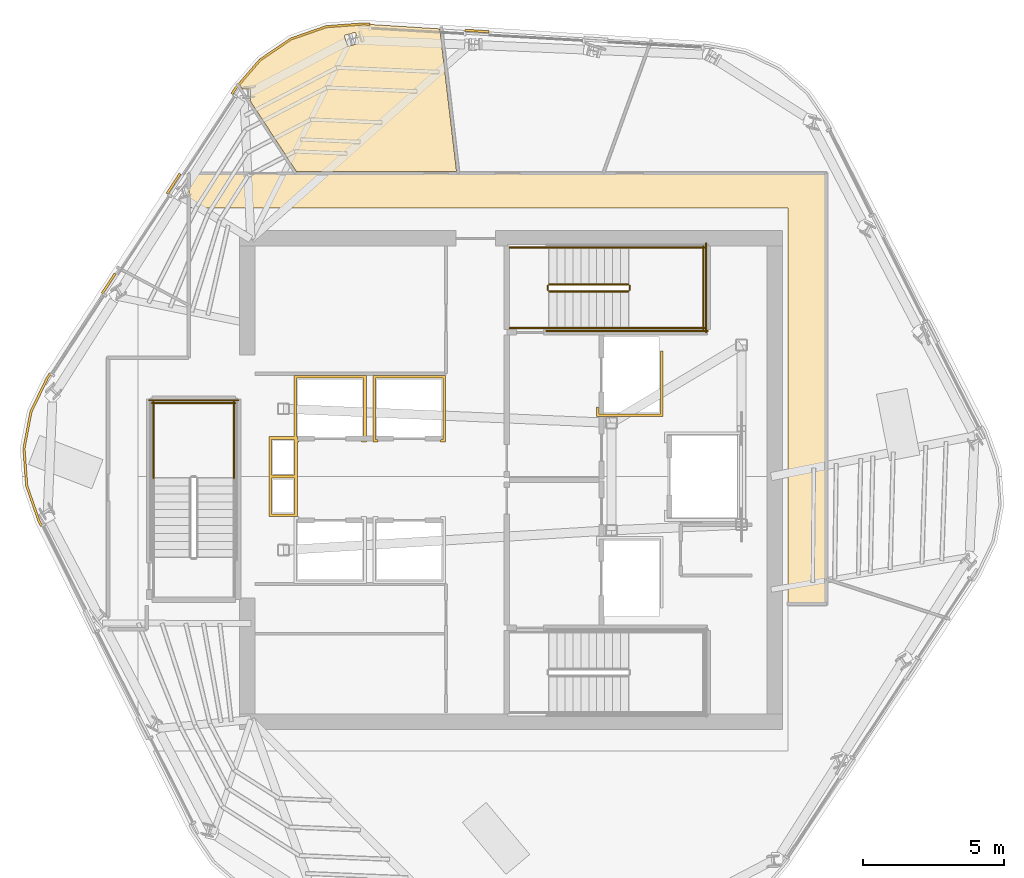
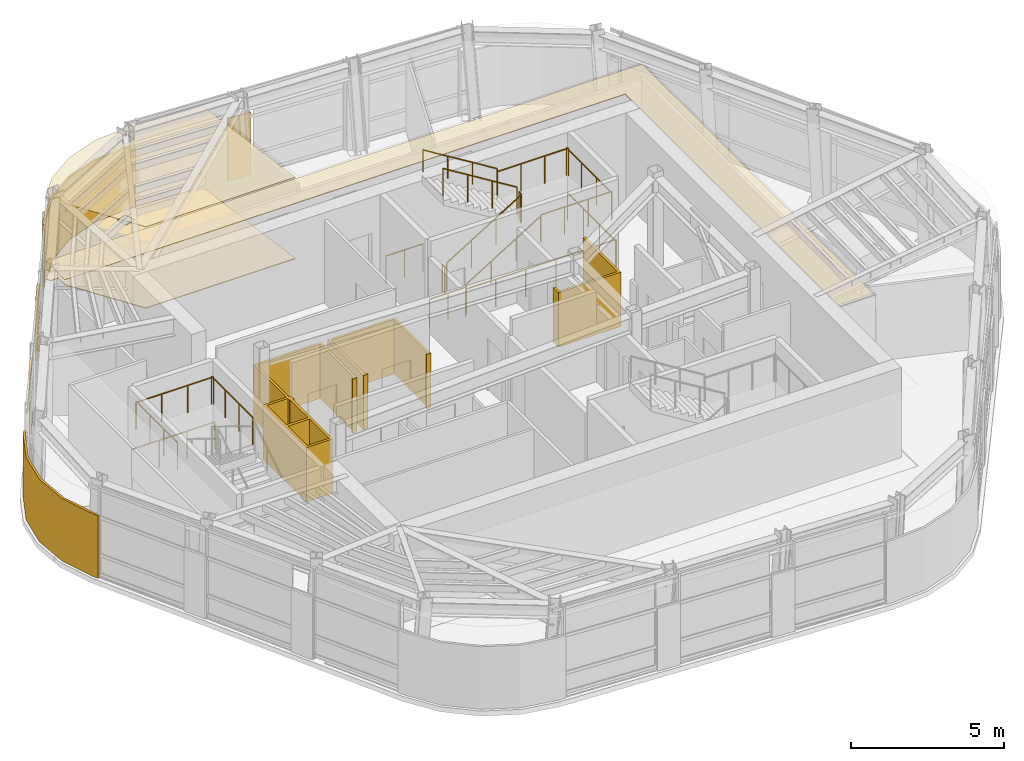
# One storey, part 11 of 13: 17 railings, 11 coverings.
"""IFC4 building model written with IfcOpenShell, lengths in metres."""

import ifcopenshell
import ifcopenshell.guid

model = None  # the IFC model being written
_history = None  # IfcOwnerHistory: only IFC2X3 demands one
_inside = {}  # id of a spatial element -> (the spatial element, [elements in it])
_under = {}  # id of a project, library or spatial element -> (it, [spatial elements below it])
_declared = {}  # id of a project -> (the project, [libraries it declares])
_typed = {}  # id of a type object -> (the type object, [elements of that type])
_made_of = {}  # id of a material, layer set ... -> (it, [elements and type objects made of it])


def new_model(schema):
    """Start an empty IFC model of exactly this schema.

    Asked for "IFC4X3", IfcOpenShell would pick the latest addendum, in which some entities
    have other attributes; the version numbers below select the first issue.
    IFC2X3 requires an IfcOwnerHistory on every rooted entity: one is made here for all.
    """
    global model, _history
    if schema == "IFC4X3":
        model = ifcopenshell.file(schema_version=(4, 3, 0, 0))
    else:
        model = ifcopenshell.file(schema=schema)
    _inside.clear()
    _under.clear()
    _declared.clear()
    _typed.clear()
    _made_of.clear()
    _history = None
    if model.schema == "IFC2X3":
        org = make("IfcOrganization", Name="unknown")
        user = make(
            "IfcPersonAndOrganization",
            ThePerson=make("IfcPerson", FamilyName="unknown"),
            TheOrganization=org,
        )
        app = make(
            "IfcApplication",
            ApplicationDeveloper=org,
            Version="unknown",
            ApplicationFullName="unknown",
            ApplicationIdentifier="unknown",
        )
        _history = make(
            "IfcOwnerHistory",
            OwningUser=user,
            OwningApplication=app,
            ChangeAction="ADDED",
            CreationDate=0,
        )
    return model


def make(cls, **values):
    """One entity of the class cls with the attributes given. An attribute that is None is left unset."""
    return model.create_entity(
        cls, **{name: value for name, value in values.items() if value is not None}
    )


def rooted(cls, **values):
    """An entity with a GlobalId (a new one), such as an element, a storey or a relation."""
    return make(cls, GlobalId=ifcopenshell.guid.new(), OwnerHistory=_history, **values)


def si_unit(unit_type, name, prefix=None):
    """IfcSIUnit, for example si_unit("LENGTHUNIT", "METRE", prefix="MILLI")."""
    return make("IfcSIUnit", UnitType=unit_type, Prefix=prefix, Name=name)


def assignment(units):
    """IfcUnitAssignment: the units of a project."""
    return None if units is None else make("IfcUnitAssignment", Units=units)


def point(xyz):
    """IfcCartesianPoint."""
    return None if xyz is None else make("IfcCartesianPoint", Coordinates=xyz)


def direction(xyz):
    """IfcDirection."""
    return None if xyz is None else make("IfcDirection", DirectionRatios=xyz)


def frame(location, z_axis=None, x_axis=None):
    """IfcAxis2Placement3D, a coordinate frame: its origin and axes. An axis left out is left unset."""
    return make(
        "IfcAxis2Placement3D",
        Location=point(location),
        Axis=direction(z_axis),
        RefDirection=direction(x_axis),
    )


def frame_2d(location, x_axis=None):
    """IfcAxis2Placement2D, a coordinate frame in the plane: its origin and x axis."""
    return make(
        "IfcAxis2Placement2D", Location=point(location), RefDirection=direction(x_axis)
    )


def origin():
    """The frame at (0, 0, 0) with its axes left unset."""
    return frame((0.0, 0.0, 0.0))


def origin_2d():
    """The frame at (0, 0) in the plane with its x axis left unset."""
    return frame_2d((0.0, 0.0))


def place(relative_to, where):
    """IfcLocalPlacement: puts the frame where relative to a parent placement (None: the world)."""
    return make(
        "IfcLocalPlacement", PlacementRelTo=relative_to, RelativePlacement=where
    )


def context(
    kind, dimensions, precision=None, world=None, true_north=None, identifier=None
):
    """IfcGeometricRepresentationContext, for example the 3D "Model" context."""
    return make(
        "IfcGeometricRepresentationContext",
        ContextIdentifier=identifier,
        ContextType=kind,
        CoordinateSpaceDimension=dimensions,
        Precision=precision,
        WorldCoordinateSystem=world,
        TrueNorth=true_north,
    )


def subcontext(parent, identifier, kind, view, scale=None):
    """IfcGeometricRepresentationSubContext, for example "Body" below "Model"."""
    return make(
        "IfcGeometricRepresentationSubContext",
        ContextIdentifier=identifier,
        ContextType=kind,
        ParentContext=parent,
        TargetScale=scale,
        TargetView=view,
    )


def project(units=None, contexts=None):
    """IfcProject with its units and contexts."""
    return rooted(
        "IfcProject",
        Name="project",
        RepresentationContexts=contexts,
        UnitsInContext=assignment(units),
    )


def spatial(cls, under=None, at=None, **own):
    """A site, building, storey or space (cls), placed at a placement, below another one or the project."""
    s = rooted(cls, ObjectPlacement=at, **own)
    if under is not None:
        _under.setdefault(under.id(), (under, []))[1].append(s)
    return s


def polyline(points):
    """IfcPolyline through the points."""
    return make("IfcPolyline", Points=[point(p) for p in points])


def profile(cls, at=None, kind="AREA", **sizes):
    """A parametric profile (cls). Its sizes go by their IFC names, for example OverallWidth=200.0."""
    return make(cls, ProfileType=kind, Position=at, **sizes)


def circle(**sizes):
    """IfcCircleProfileDef."""
    return profile("IfcCircleProfileDef", **sizes)


def outline(outer, holes=None, kind="AREA"):
    """IfcArbitraryClosedProfileDef: a profile drawn as a closed curve; with holes, ...WithVoids."""
    if holes is None:
        return make("IfcArbitraryClosedProfileDef", ProfileType=kind, OuterCurve=outer)
    return make(
        "IfcArbitraryProfileDefWithVoids",
        ProfileType=kind,
        OuterCurve=outer,
        InnerCurves=holes,
    )


def extrude(swept, where, along, depth):
    """IfcExtrudedAreaSolid: the profile swept, set in the frame where, extruded along a direction by depth."""
    return make(
        "IfcExtrudedAreaSolid",
        SweptArea=swept,
        Position=where,
        ExtrudedDirection=direction(along),
        Depth=depth,
    )


def shape(context_of_items, identifier, shape_type, items):
    """IfcShapeRepresentation: the items that make up one representation, for example the "Body"."""
    return make(
        "IfcShapeRepresentation",
        ContextOfItems=context_of_items,
        RepresentationIdentifier=identifier,
        RepresentationType=shape_type,
        Items=items,
    )


def material(Name=None, Category=None):
    """IfcMaterial."""
    return make("IfcMaterial", Name=Name, Category=Category)


def layer(
    of_material, thickness, ventilated=None, Name=None, Category=None, Priority=None
):
    """IfcMaterialLayer: one layer of a wall or slab, of a material (None: an air gap)."""
    return make(
        "IfcMaterialLayer",
        Material=of_material,
        LayerThickness=thickness,
        IsVentilated=ventilated,
        Name=Name,
        Category=Category,
        Priority=Priority,
    )


def layer_set(layers, Name=None):
    """IfcMaterialLayerSet."""
    return make("IfcMaterialLayerSet", MaterialLayers=layers, LayerSetName=Name)


def made_of(thing, what):
    """Note that an element or type object is made of a material, layer set ...; save() writes the relation."""
    if what is not None:
        _made_of.setdefault(what.id(), (what, []))[1].append(thing)
    return thing


def type_object(cls, material=None, **own):
    """A type object (cls), such as IfcWallType, which elements share."""
    return made_of(rooted(cls, **own), material)


def element(
    cls,
    number,
    at=None,
    inside=None,
    cuts=None,
    type_object=None,
    material=None,
    context=None,
    identifier="Body",
    shape_type=None,
    held_by="IfcProductDefinitionShape",
    body=None,
    shapes=None,
    **own,
):
    """One element of the class cls, such as IfcWall. Its Tag is "e" and its number.

    at: its placement. inside: the storey or other place that contains it. cuts: it is an
    opening in that element (IfcRelVoidsElement). A single representation is given by context,
    identifier, shape_type and body (its items); several are given by shapes. held_by: the class
    of the entity that holds the representations. save() writes the other relations.
    """
    e = rooted(cls, Tag="e%d" % number, ObjectPlacement=at, **own)
    if body is not None:
        shapes = [shape(context, identifier, shape_type, body)]
    if shapes is not None:
        e.Representation = make(held_by, Representations=shapes)
    if inside is not None:
        _inside.setdefault(inside.id(), (inside, []))[1].append(e)
    if cuts is not None:
        rooted(
            "IfcRelVoidsElement", RelatingBuildingElement=cuts, RelatedOpeningElement=e
        )
    if type_object is not None:
        _typed.setdefault(type_object.id(), (type_object, []))[1].append(e)
    return made_of(e, material)


def aggregate(whole, parts):
    """IfcRelAggregates: a whole, such as a stair, and the parts it consists of."""
    return rooted("IfcRelAggregates", RelatingObject=whole, RelatedObjects=parts)


def save(model, path):
    """Write the relations noted so far, then the file.

    IfcRelAggregates (storeys below a building ...), IfcRelContainedInSpatialStructure (elements
    in a storey), IfcRelDefinesByType, IfcRelAssociatesMaterial and IfcRelDeclares: one each for
    every whole, place, type object, material and project.
    """
    for whole, parts in _under.values():
        aggregate(whole, parts)
    for where, things in _inside.values():
        rooted(
            "IfcRelContainedInSpatialStructure",
            RelatedElements=things,
            RelatingStructure=where,
        )
    for kind, things in _typed.values():
        rooted("IfcRelDefinesByType", RelatedObjects=things, RelatingType=kind)
    for what, things in _made_of.values():
        rooted("IfcRelAssociatesMaterial", RelatedObjects=things, RelatingMaterial=what)
    for by, libraries in _declared.values():
        rooted("IfcRelDeclares", RelatingContext=by, RelatedDefinitions=libraries)
    model.write(path)


model = new_model("IFC4")

# Units and contexts
model_context = context("Model", 3, precision=1e-05, world=origin(), true_north=direction((0.0, 1.0)))
body_context = subcontext(model_context, "Body", "Model", "MODEL_VIEW")
ifc_project = project(units=[si_unit("LENGTHUNIT", "METRE"), si_unit("AREAUNIT", "SQUARE_METRE"), si_unit("VOLUMEUNIT", "CUBIC_METRE"), si_unit("PLANEANGLEUNIT", "RADIAN"), si_unit("MASSUNIT", "GRAM", prefix="KILO")], contexts=[model_context])

# Site, building, storey
site_placement = place(None, origin())
site = spatial("IfcSite", under=ifc_project, at=site_placement, CompositionType="ELEMENT")
building_placement = place(site_placement, origin())
building = spatial("IfcBuilding", under=site, at=building_placement, Name="Valkerne Bourse Tower", CompositionType="ELEMENT")
storey_placement = place(building_placement, frame((0.0, 0.0, 269.800048828125)))
storey = spatial("IfcBuildingStorey", under=building, at=storey_placement, Name="L68", CompositionType="ELEMENT", Elevation=269.800048828125)

# Coverings
ifc_material_1 = material(Name="Mineral Fiber Acoustic Ceiling Tile", Category="acoustic")
ifc_layer_1 = layer(ifc_material_1, 0.02490234375)
ifc_layer_set_1 = layer_set([ifc_layer_1], Name="Mineral Fiber Acoustic Ceiling Tile")
covering_type_1 = type_object("IfcCoveringType", Name="COV-CEIL-ACT", PredefinedType="CEILING", material=ifc_layer_set_1)
covering_1_placement = place(storey_placement, frame((0.0, 0.0, 3.25)))
element("IfcCovering", 1, at=covering_1_placement, inside=storey, type_object=covering_type_1, Name="L68 Suspended Ceiling 04", PredefinedType="CEILING", context=body_context, shape_type="SweptSolid", body=[
    extrude(outline(polyline([(40.263916015625, 42.907470703125), (41.589111328125, 43.0048828125), (44.2802734375, 42.836181640625), (44.873291015625, 37.7890625), (39.21044921875, 37.7890625), (37.568115234375, 40.298828125), (37.59033203125, 40.29931640625), (37.59228515625, 40.30078125), (37.5830078125, 40.70703125), (37.3046875, 40.701171875), (37.189208984375, 40.877685546875), (37.92626953125, 41.731689453125), (39.017578125, 42.473388671875), (40.263916015625, 42.907470703125)]), holes=[polyline([(41.41162109375, 42.323486328125), (41.2958984375, 42.71630859375), (40.906494140625, 42.6015625), (40.904296875, 42.600830078125), (41.02001953125, 42.208251953125), (41.409423828125, 42.32275390625), (41.41162109375, 42.323486328125)])]), origin(), (0.0, 0.0, 1.0), 0.02490234375),
])
ifc_material_2 = material(Name="Bronze Anodised Aluminium AA 6063-T6", Category="aluminium")
ifc_layer_2 = layer(ifc_material_2, 0.030029296875)
ifc_layer_set_2 = layer_set([ifc_layer_2], Name="Bronze Anodised Aluminium AA 6063-T6")
covering_type_2 = type_object("IfcCoveringType", Name="COV-CEIL-METAL", PredefinedType="CEILING", material=ifc_layer_set_2)
covering_2_placement = place(storey_placement, frame((0.0, 0.0, 3.25)))
element("IfcCovering", 2, at=covering_2_placement, inside=storey, type_object=covering_type_2, Name="L68 Suspended Ceiling 01", PredefinedType="CEILING", context=body_context, shape_type="SweptSolid", body=[
    extrude(outline(polyline([(35.404052734375, 37.716064453125), (57.946044921875, 37.716064453125), (57.946044921875, 22.50390625), (56.60009765625, 22.50390625), (56.60009765625, 36.5), (35.404052734375, 36.5), (35.404052734375, 37.716064453125)])), origin(), (0.0, 0.0, 1.0), 0.02490234375),
])
ifc_layer_3 = layer(ifc_material_2, 0.06005859375)
ifc_layer_set_3 = layer_set([ifc_layer_3], Name="Bronze Anodised Aluminium AA 6063-T6")
covering_type_3 = type_object("IfcCoveringType", Name="COV-CRN-ALUM", PredefinedType="CLADDING", material=ifc_layer_set_3)
covering_3_placement = place(storey_placement, origin())
element("IfcCovering", 3, at=covering_3_placement, inside=storey, type_object=covering_type_3, Name="L68 Wind-Shaped Corner Aluminium Cladding 10", PredefinedType="CLADDING", context=body_context, shape_type="SweptSolid", body=[
    extrude(outline(polyline([(30.071533203125, 25.404296875), (29.631591796875, 26.66796875), (29.533935546875, 27.99560546875), (29.783447265625, 29.302978515625), (30.36572265625, 30.5078125), (30.470947265625, 30.66943359375), (30.537841796875, 30.62548828125), (30.435546875, 30.46826171875), (29.860107421875, 29.27783203125), (29.614501953125, 27.990966796875), (29.71044921875, 26.684326171875), (30.1455078125, 25.435546875), (30.228759765625, 25.267578125), (30.157470703125, 25.2314453125), (30.071533203125, 25.404296875)])), origin(), (0.0, 0.0, 1.0), 2.5),
])
covering_4_placement = place(storey_placement, origin())
element("IfcCovering", 4, at=covering_4_placement, inside=storey, type_object=covering_type_3, Name="L68 Wind-Shaped Corner Aluminium Cladding 11", PredefinedType="CLADDING", context=body_context, shape_type="SweptSolid", body=[
    extrude(outline(polyline([(32.765869140625, 34.201416015625), (32.832763671875, 34.157470703125), (32.375, 33.452880859375), (32.30810546875, 33.4970703125), (32.765869140625, 34.201416015625)])), origin(), (0.0, 0.0, 1.0), 2.5),
])
covering_5_placement = place(storey_placement, origin())
element("IfcCovering", 5, at=covering_5_placement, inside=storey, type_object=covering_type_3, Name="L68 Wind-Shaped Corner Aluminium Cladding 12", PredefinedType="CLADDING", context=body_context, shape_type="SweptSolid", body=[
    extrude(outline(polyline([(35.06103515625, 37.7333984375), (35.1279296875, 37.689453125), (34.670166015625, 36.985107421875), (34.603271484375, 37.02880859375), (35.06103515625, 37.7333984375)])), origin(), (0.0, 0.0, 1.0), 2.5),
])
covering_6_placement = place(storey_placement, origin())
element("IfcCovering", 6, at=covering_6_placement, inside=storey, type_object=covering_type_3, Name="L68 Wind-Shaped Corner Aluminium Cladding 13", PredefinedType="CLADDING", context=body_context, shape_type="SweptSolid", body=[
    extrude(outline(polyline([(37.022705078125, 40.75244140625), (37.896728515625, 41.764892578125), (38.997802734375, 42.51318359375), (40.2548828125, 42.950927734375), (41.588623046875, 43.048828125), (41.81689453125, 43.03466796875), (41.812255859375, 42.95458984375), (41.589111328125, 42.96875), (40.271240234375, 42.871826171875), (39.033935546875, 42.44091796875), (37.950439453125, 41.70458984375), (37.0869140625, 40.704345703125), (36.965087890625, 40.516845703125), (36.898193359375, 40.560791015625), (37.022705078125, 40.75244140625)])), origin(), (0.0, 0.0, 1.0), 2.5),
])
covering_7_placement = place(storey_placement, origin())
element("IfcCovering", 7, at=covering_7_placement, inside=storey, type_object=covering_type_3, Name="L68 Wind-Shaped Corner Aluminium Cladding 14", PredefinedType="CLADDING", context=body_context, shape_type="SweptSolid", body=[
    extrude(outline(polyline([(46.0205078125, 42.771240234375), (46.01611328125, 42.69140625), (45.177490234375, 42.743896484375), (45.18212890625, 42.82373046875), (46.0205078125, 42.771240234375)])), origin(), (0.0, 0.0, 1.0), 2.5),
])
ifc_material_3 = material(Name="Polished Granite Stone", Category="masonry")
ifc_layer_4 = layer(ifc_material_3, 0.030029296875)
ifc_layer_set_4 = layer_set([ifc_layer_4], Name="Polished Granite Stone")
covering_type_4 = type_object("IfcCoveringType", Name="COV-FLR-TERRAZZO", PredefinedType="FLOORING", material=ifc_layer_set_4)
covering_8_placement = place(storey_placement, origin())
element("IfcCovering", 8, at=covering_8_placement, inside=storey, type_object=covering_type_4, Name="L68 Floor Finish 04", PredefinedType="FLOORING", context=body_context, shape_type="SweptSolid", body=[
    extrude(outline(polyline([(40.263916015625, 42.907470703125), (41.589111328125, 43.0048828125), (44.2802734375, 42.836181640625), (44.873291015625, 37.7890625), (39.21044921875, 37.7890625), (37.568115234375, 40.298828125), (37.59033203125, 40.29931640625), (37.59228515625, 40.30078125), (37.5830078125, 40.70703125), (37.3046875, 40.701171875), (37.189208984375, 40.877685546875), (37.92626953125, 41.731689453125), (39.017578125, 42.473388671875), (40.263916015625, 42.907470703125)]), holes=[polyline([(41.41162109375, 42.323486328125), (41.2958984375, 42.71630859375), (40.906494140625, 42.6015625), (40.904296875, 42.600830078125), (41.02001953125, 42.208251953125), (41.409423828125, 42.32275390625), (41.41162109375, 42.323486328125)])]), origin(), (0.0, 0.0, 1.0), 0.030029296875),
])
ifc_material_4 = material(Name="Gypsum Shaftwall Liner Board", Category="gypsum")
ifc_layer_5 = layer(ifc_material_4, 0.080078125)
ifc_layer_set_5 = layer_set([ifc_layer_5], Name="Gypsum Shaftwall Liner Board")
covering_type_5 = type_object("IfcCoveringType", Name="COV-SHF-CLAD", PredefinedType="CLADDING", material=ifc_layer_set_5)
covering_9_placement = place(storey_placement, origin())
element("IfcCovering", 9, at=covering_9_placement, inside=storey, type_object=covering_type_5, Name="L68 Hoistway & Riser Shaftwall Liner 04", PredefinedType="CLADDING", context=body_context, shape_type="SweptSolid", body=[
    extrude(outline(polyline([(38.239990234375, 27.0400390625), (38.239990234375, 28.409912109375), (39.1201171875, 28.409912109375), (39.1201171875, 30.580078125), (41.679931640625, 30.580078125), (41.679931640625, 28.219970703125), (41.500732421875, 28.219970703125), (41.511474609375, 28.26220703125), (41.517822265625, 28.305908203125), (41.51806640625, 28.31005859375), (41.590087890625, 28.31005859375), (41.590087890625, 30.489990234375), (39.2099609375, 30.489990234375), (39.2099609375, 28.409912109375), (39.239990234375, 28.409912109375), (39.239990234375, 28.31005859375), (39.281982421875, 28.31005859375), (39.2822265625, 28.305908203125), (39.28857421875, 28.26220703125), (39.29931640625, 28.219970703125), (39.239990234375, 28.219970703125), (39.239990234375, 27.0400390625), (39.239990234375, 26.9599609375), (39.239990234375, 25.590087890625), (38.239990234375, 25.590087890625), (38.239990234375, 26.9599609375), (38.239990234375, 27.0400390625)]), holes=[polyline([(39.14990234375, 26.949951171875), (38.330078125, 26.949951171875), (38.330078125, 25.679931640625), (39.14990234375, 25.679931640625), (39.14990234375, 26.949951171875)]), polyline([(39.14990234375, 28.219970703125), (39.1201171875, 28.219970703125), (39.1201171875, 28.320068359375), (38.330078125, 28.320068359375), (38.330078125, 27.050048828125), (39.14990234375, 27.050048828125), (39.14990234375, 28.219970703125)])]), origin(), (0.0, 0.0, 1.0), 2.179931640625),
])
covering_10_placement = place(storey_placement, origin())
element("IfcCovering", 10, at=covering_10_placement, inside=storey, type_object=covering_type_5, Name="L68 Hoistway & Riser Shaftwall Liner 06", PredefinedType="CLADDING", context=body_context, shape_type="SweptSolid", body=[
    extrude(outline(polyline([(44.47998046875, 28.219970703125), (44.30078125, 28.219970703125), (44.311279296875, 28.26220703125), (44.31787109375, 28.305908203125), (44.318115234375, 28.31005859375), (44.389892578125, 28.31005859375), (44.389892578125, 30.489990234375), (42.010009765625, 30.489990234375), (42.010009765625, 28.31005859375), (42.08203125, 28.31005859375), (42.082275390625, 28.305908203125), (42.088623046875, 28.26220703125), (42.09912109375, 28.219970703125), (41.919921875, 28.219970703125), (41.919921875, 30.580078125), (44.47998046875, 30.580078125), (44.47998046875, 28.219970703125)])), origin(), (0.0, 0.0, 1.0), 2.179931640625),
])
covering_11_placement = place(storey_placement, origin())
element("IfcCovering", 11, at=covering_11_placement, inside=storey, type_object=covering_type_5, Name="L68 Hoistway & Riser Shaftwall Liner 07", PredefinedType="CLADDING", context=body_context, shape_type="SweptSolid", body=[
    extrude(outline(polyline([(49.820068359375, 29.1201171875), (49.820068359375, 29.468017578125), (49.827880859375, 29.46435546875), (49.869384765625, 29.449462890625), (49.909912109375, 29.439208984375), (49.909912109375, 29.2099609375), (52.090087890625, 29.2099609375), (52.090087890625, 31.449951171875), (52.179931640625, 31.449951171875), (52.179931640625, 29.1201171875), (49.820068359375, 29.1201171875)])), origin(), (0.0, 0.0, 1.0), 2.179931640625),
])

# Railings
ifc_material_5 = material(Name="Galvanised Painted Steel", Category="steel")
railing_type_1 = type_object("IfcRailingType", Name="RLG-ST-GUARD-1120", PredefinedType="GUARDRAIL", material=ifc_material_5)
railing_1_placement = place(storey_placement, frame((48.14990234375, 33.550048828125, 0.172607421875)))
element("IfcRailing", 12, at=railing_1_placement, inside=storey, type_object=railing_type_1, Name="L68 ST-2 stair guard 1", PredefinedType="GUARDRAIL", context=body_context, shape_type="SweptSolid", body=[
    extrude(circle(Radius=0.02392578125, at=origin_2d()), frame((0.0, 0.0, 1.09619140625), z_axis=(0.851089632645, 0.0, 0.525020415988), x_axis=(0.0, 1.0, 0.0)), (0.0, 0.0, 1.0), 3.2900390625),
    extrude(circle(Radius=0.02099609375, at=origin_2d()), origin(), (0.0, 0.0, 1.0), 1.072021484375),
    extrude(circle(Radius=0.02099609375, at=origin_2d()), frame((0.933349609375, 0.0, 0.57568359375)), (0.0, 0.0, 1.0), 1.072021484375),
    extrude(circle(Radius=0.02099609375, at=origin_2d()), frame((1.86669921875, 0.0, 1.151611328125)), (0.0, 0.0, 1.0), 1.072021484375),
    extrude(circle(Radius=0.02099609375, at=origin_2d()), frame((2.800048828125, 0.0, 1.727294921875)), (0.0, 0.0, 1.0), 1.072021484375),
])
railing_2_placement = place(storey_placement, frame((51.0, 33.60009765625, 1.89990234375)))
element("IfcRailing", 13, at=railing_2_placement, inside=storey, type_object=railing_type_1, Name="L68 ST-2 stair guard 2", PredefinedType="GUARDRAIL", context=body_context, shape_type="SweptSolid", body=[
    extrude(circle(Radius=0.02392578125, at=origin_2d()), frame((0.0, 0.0, 1.09619140625), z_axis=(0.0, 1.0, 0.0), x_axis=(-1.0, 0.0, 0.0)), (0.0, 0.0, 1.0), 0.14990234375),
    extrude(circle(Radius=0.02099609375, at=origin_2d()), origin(), (0.0, 0.0, 1.0), 1.072021484375),
    extrude(circle(Radius=0.02099609375, at=origin_2d()), frame((0.0, 0.14990234375, 0.0)), (0.0, 0.0, 1.0), 1.072021484375),
])
for number, where, name in (
    (14, (50.949951171875, 32.25, 1.89990234375), "L68 ST-2 stair guard 3"),
    (15, (50.949951171875, 35.10009765625, 1.89990234375), "L68 ST-2 stair guard 4"),
):
    element("IfcRailing", number, at=place(storey_placement, frame(where)), inside=storey, type_object=railing_type_1, Name=name, PredefinedType="GUARDRAIL", context=body_context, shape_type="SweptSolid", body=[
        extrude(circle(Radius=0.02392578125, at=origin_2d()), frame((0.0, 0.0, 1.09619140625), z_axis=(1.0, 0.0, 0.0), x_axis=(0.0, 1.0, 0.0)), (0.0, 0.0, 1.0), 2.699951171875),
        extrude(circle(Radius=0.02099609375, at=origin_2d()), origin(), (0.0, 0.0, 1.0), 1.072021484375),
        extrude(circle(Radius=0.02099609375, at=origin_2d()), frame((0.89990234375, 0.0, 0.0)), (0.0, 0.0, 1.0), 1.072021484375),
        extrude(circle(Radius=0.02099609375, at=origin_2d()), frame((1.800048828125, 0.0, 0.0)), (0.0, 0.0, 1.0), 1.072021484375),
        extrude(circle(Radius=0.02099609375, at=origin_2d()), frame((2.699951171875, 0.0, 0.0)), (0.0, 0.0, 1.0), 1.072021484375),
    ])
railing_3_placement = place(storey_placement, frame((53.60009765625, 32.199951171875, 1.89990234375)))
element("IfcRailing", 16, at=railing_3_placement, inside=storey, type_object=railing_type_1, Name="L68 ST-2 stair guard 5", PredefinedType="GUARDRAIL", context=body_context, shape_type="SweptSolid", body=[
    extrude(circle(Radius=0.02392578125, at=origin_2d()), frame((0.0, 0.0, 1.09619140625), z_axis=(0.0, 1.0, 0.0), x_axis=(-1.0, 0.0, 0.0)), (0.0, 0.0, 1.0), 2.949951171875),
    extrude(circle(Radius=0.02099609375, at=origin_2d()), origin(), (0.0, 0.0, 1.0), 1.072021484375),
    extrude(circle(Radius=0.02099609375, at=origin_2d()), frame((0.0, 0.9833984375, 0.0)), (0.0, 0.0, 1.0), 1.072021484375),
    extrude(circle(Radius=0.02099609375, at=origin_2d()), frame((0.0, 1.966552734375, 0.0)), (0.0, 0.0, 1.0), 1.072021484375),
    extrude(circle(Radius=0.02099609375, at=origin_2d()), frame((0.0, 2.949951171875, 0.0)), (0.0, 0.0, 1.0), 1.072021484375),
])
railing_4_placement = place(storey_placement, frame((50.949951171875, 33.800048828125, 2.07275390625)))
element("IfcRailing", 17, at=railing_4_placement, inside=storey, type_object=railing_type_1, Name="L68 ST-2 stair guard 6", PredefinedType="GUARDRAIL", context=body_context, shape_type="SweptSolid", body=[
    extrude(circle(Radius=0.02392578125, at=origin_2d()), frame((0.0, 0.0, 1.09619140625), z_axis=(-0.851089632645, 0.0, 0.525020415988), x_axis=(0.0, -1.0, 0.0)), (0.0, 0.0, 1.0), 3.2900390625),
    extrude(circle(Radius=0.02099609375, at=origin_2d()), origin(), (0.0, 0.0, 1.0), 1.072021484375),
    extrude(circle(Radius=0.02099609375, at=origin_2d()), frame((-0.933349609375, 0.0, 0.57568359375)), (0.0, 0.0, 1.0), 1.072021484375),
    extrude(circle(Radius=0.02099609375, at=origin_2d()), frame((-1.86669921875, 0.0, 1.151611328125)), (0.0, 0.0, 1.0), 1.072021484375),
    extrude(circle(Radius=0.02099609375, at=origin_2d()), frame((-2.800048828125, 0.0, 1.727294921875)), (0.0, 0.0, 1.0), 1.072021484375),
])
railing_5_placement = place(storey_placement, frame((48.10009765625, 33.60009765625, 0.0)))
element("IfcRailing", 18, at=railing_5_placement, inside=storey, type_object=railing_type_1, Name="L68 ST-2 stair guard 7", PredefinedType="GUARDRAIL", context=body_context, shape_type="SweptSolid", body=[
    extrude(circle(Radius=0.02392578125, at=origin_2d()), frame((0.0, 0.0, 1.09619140625), z_axis=(0.0, 1.0, 0.0), x_axis=(-1.0, 0.0, 0.0)), (0.0, 0.0, 1.0), 0.14990234375),
    extrude(circle(Radius=0.02099609375, at=origin_2d()), origin(), (0.0, 0.0, 1.0), 1.072021484375),
    extrude(circle(Radius=0.02099609375, at=origin_2d()), frame((0.0, 0.14990234375, 0.0)), (0.0, 0.0, 1.0), 1.072021484375),
])
for number, where, name in (
    (19, (46.75, 32.25, 0.0), "L68 ST-2 stair guard 8"),
    (20, (46.75, 35.10009765625, 0.0), "L68 ST-2 stair guard 9"),
):
    element("IfcRailing", number, at=place(storey_placement, frame(where)), inside=storey, type_object=railing_type_1, Name=name, PredefinedType="GUARDRAIL", context=body_context, shape_type="SweptSolid", body=[
        extrude(circle(Radius=0.02392578125, at=origin_2d()), frame((0.0, 0.0, 1.09619140625), z_axis=(1.0, 0.0, 0.0), x_axis=(0.0, 1.0, 0.0)), (0.0, 0.0, 1.0), 1.39990234375),
        extrude(circle(Radius=0.02099609375, at=origin_2d()), origin(), (0.0, 0.0, 1.0), 1.072021484375),
        extrude(circle(Radius=0.02099609375, at=origin_2d()), frame((0.699951171875, 0.0, 0.0)), (0.0, 0.0, 1.0), 1.072021484375),
        extrude(circle(Radius=0.02099609375, at=origin_2d()), frame((1.39990234375, 0.0, 0.0)), (0.0, 0.0, 1.0), 1.072021484375),
    ])
railing_6_placement = place(storey_placement, frame((48.050048828125, 32.14990234375, 0.0)))
element("IfcRailing", 21, at=railing_6_placement, inside=storey, type_object=railing_type_1, Name="L68 ST-2 stair guard 10", PredefinedType="GUARDRAIL", context=body_context, shape_type="SweptSolid", body=[
    extrude(circle(Radius=0.02392578125, at=origin_2d()), frame((0.0, 0.0, 1.09619140625), z_axis=(1.0, 0.0, 0.0), x_axis=(0.0, 1.0, 0.0)), (0.0, 0.0, 1.0), 5.699951171875),
    extrude(circle(Radius=0.02099609375, at=origin_2d()), origin(), (0.0, 0.0, 1.0), 1.072021484375),
    extrude(circle(Radius=0.02099609375, at=origin_2d()), frame((1.139892578125, 0.0, 0.0)), (0.0, 0.0, 1.0), 1.072021484375),
    extrude(circle(Radius=0.02099609375, at=origin_2d()), frame((2.280029296875, 0.0, 0.0)), (0.0, 0.0, 1.0), 1.072021484375),
    extrude(circle(Radius=0.02099609375, at=origin_2d()), frame((3.419921875, 0.0, 0.0)), (0.0, 0.0, 1.0), 1.072021484375),
    extrude(circle(Radius=0.02099609375, at=origin_2d()), frame((4.56005859375, 0.0, 0.0)), (0.0, 0.0, 1.0), 1.072021484375),
    extrude(circle(Radius=0.02099609375, at=origin_2d()), frame((5.699951171875, 0.0, 0.0)), (0.0, 0.0, 1.0), 1.072021484375),
])
railing_7_placement = place(storey_placement, frame((53.699951171875, 32.10009765625, 0.0)))
element("IfcRailing", 22, at=railing_7_placement, inside=storey, type_object=railing_type_1, Name="L68 ST-2 stair guard 12", PredefinedType="GUARDRAIL", context=body_context, shape_type="SweptSolid", body=[
    extrude(circle(Radius=0.02392578125, at=origin_2d()), frame((0.0, 0.0, 1.09619140625), z_axis=(0.0, 1.0, 0.0), x_axis=(-1.0, 0.0, 0.0)), (0.0, 0.0, 1.0), 3.14990234375),
    extrude(circle(Radius=0.02099609375, at=origin_2d()), origin(), (0.0, 0.0, 1.0), 1.072021484375),
    extrude(circle(Radius=0.02099609375, at=origin_2d()), frame((0.0, 1.050048828125, 0.0)), (0.0, 0.0, 1.0), 1.072021484375),
    extrude(circle(Radius=0.02099609375, at=origin_2d()), frame((0.0, 2.099853515625, 0.0)), (0.0, 0.0, 1.0), 1.072021484375),
    extrude(circle(Radius=0.02099609375, at=origin_2d()), frame((0.0, 3.14990234375, 0.0)), (0.0, 0.0, 1.0), 1.072021484375),
])
for number, where, name in (
    (23, (37.0, 26.949951171875, 1.89990234375), "L68 ST-3 stair guard 3"),
    (24, (34.14990234375, 26.949951171875, 1.89990234375), "L68 ST-3 stair guard 4"),
):
    element("IfcRailing", number, at=place(storey_placement, frame(where)), inside=storey, type_object=railing_type_1, Name=name, PredefinedType="GUARDRAIL", context=body_context, shape_type="SweptSolid", body=[
        extrude(circle(Radius=0.02392578125, at=origin_2d()), frame((0.0, 0.0, 1.09619140625), z_axis=(0.0, 1.0, 0.0), x_axis=(-1.0, 0.0, 0.0)), (0.0, 0.0, 1.0), 2.699951171875),
        extrude(circle(Radius=0.02099609375, at=origin_2d()), origin(), (0.0, 0.0, 1.0), 1.072021484375),
        extrude(circle(Radius=0.02099609375, at=origin_2d()), frame((0.0, 0.89990234375, 0.0)), (0.0, 0.0, 1.0), 1.072021484375),
        extrude(circle(Radius=0.02099609375, at=origin_2d()), frame((0.0, 1.800048828125, 0.0)), (0.0, 0.0, 1.0), 1.072021484375),
        extrude(circle(Radius=0.02099609375, at=origin_2d()), frame((0.0, 2.699951171875, 0.0)), (0.0, 0.0, 1.0), 1.072021484375),
    ])
railing_8_placement = place(storey_placement, frame((37.050048828125, 29.60009765625, 1.89990234375)))
element("IfcRailing", 25, at=railing_8_placement, inside=storey, type_object=railing_type_1, Name="L68 ST-3 stair guard 5", PredefinedType="GUARDRAIL", context=body_context, shape_type="SweptSolid", body=[
    extrude(circle(Radius=0.02392578125, at=origin_2d()), frame((0.0, 0.0, 1.09619140625), z_axis=(-1.0, 0.0, 0.0), x_axis=(0.0, -1.0, 0.0)), (0.0, 0.0, 1.0), 2.949951171875),
    extrude(circle(Radius=0.02099609375, at=origin_2d()), origin(), (0.0, 0.0, 1.0), 1.072021484375),
    extrude(circle(Radius=0.02099609375, at=origin_2d()), frame((-0.9833984375, 0.0, 0.0)), (0.0, 0.0, 1.0), 1.072021484375),
    extrude(circle(Radius=0.02099609375, at=origin_2d()), frame((-1.966552734375, 0.0, 0.0)), (0.0, 0.0, 1.0), 1.072021484375),
    extrude(circle(Radius=0.02099609375, at=origin_2d()), frame((-2.949951171875, 0.0, 0.0)), (0.0, 0.0, 1.0), 1.072021484375),
])
railing_9_placement = place(storey_placement, frame((37.14990234375, 29.699951171875, 0.0)))
element("IfcRailing", 26, at=railing_9_placement, inside=storey, type_object=railing_type_1, Name="L68 ST-3 stair guard 12", PredefinedType="GUARDRAIL", context=body_context, shape_type="SweptSolid", body=[
    extrude(circle(Radius=0.02392578125, at=origin_2d()), frame((0.0, 0.0, 1.09619140625), z_axis=(-1.0, 0.0, 0.0), x_axis=(0.0, -1.0, 0.0)), (0.0, 0.0, 1.0), 3.14990234375),
    extrude(circle(Radius=0.02099609375, at=origin_2d()), origin(), (0.0, 0.0, 1.0), 1.072021484375),
    extrude(circle(Radius=0.02099609375, at=origin_2d()), frame((-1.050048828125, 0.0, 0.0)), (0.0, 0.0, 1.0), 1.072021484375),
    extrude(circle(Radius=0.02099609375, at=origin_2d()), frame((-2.099853515625, 0.0, 0.0)), (0.0, 0.0, 1.0), 1.072021484375),
    extrude(circle(Radius=0.02099609375, at=origin_2d()), frame((-3.14990234375, 0.0, 0.0)), (0.0, 0.0, 1.0), 1.072021484375),
])
ifc_material_6 = material(Name="Stainless Steel AISI 316", Category="steel")
railing_type_2 = type_object("IfcRailingType", Name="RLG-ST-HANDRAIL-900", PredefinedType="HANDRAIL", material=ifc_material_6)
railing_10_placement = place(storey_placement, frame((48.14990234375, 32.25, 0.345458984375)))
element("IfcRailing", 27, at=railing_10_placement, inside=storey, type_object=railing_type_2, Name="L68 ST-2 stair handrail 1", PredefinedType="HANDRAIL", context=body_context, shape_type="SweptSolid", body=[
    extrude(circle(Radius=0.02392578125, at=origin_2d()), frame((0.0, 0.0, 0.8759765625), z_axis=(0.851089632645, 0.0, 0.525020415988), x_axis=(0.0, 1.0, 0.0)), (0.0, 0.0, 1.0), 3.2900390625),
    extrude(circle(Radius=0.02099609375, at=origin_2d()), origin(), (0.0, 0.0, 1.0), 0.851806640625),
    extrude(circle(Radius=0.02099609375, at=origin_2d()), frame((0.933349609375, 0.0, 0.57568359375)), (0.0, 0.0, 1.0), 0.851806640625),
    extrude(circle(Radius=0.02099609375, at=origin_2d()), frame((1.86669921875, 0.0, 1.151611328125)), (0.0, 0.0, 1.0), 0.851806640625),
    extrude(circle(Radius=0.02099609375, at=origin_2d()), frame((2.800048828125, 0.0, 1.727294921875)), (0.0, 0.0, 1.0), 0.851806640625),
])
railing_11_placement = place(storey_placement, frame((50.949951171875, 35.10009765625, 2.245361328125)))
element("IfcRailing", 28, at=railing_11_placement, inside=storey, type_object=railing_type_2, Name="L68 ST-2 stair handrail 2", PredefinedType="HANDRAIL", context=body_context, shape_type="SweptSolid", body=[
    extrude(circle(Radius=0.02392578125, at=origin_2d()), frame((0.0, 0.0, 0.8759765625), z_axis=(-0.851089632645, 0.0, 0.525020415988), x_axis=(0.0, -1.0, 0.0)), (0.0, 0.0, 1.0), 3.2900390625),
    extrude(circle(Radius=0.02099609375, at=origin_2d()), origin(), (0.0, 0.0, 1.0), 0.851806640625),
    extrude(circle(Radius=0.02099609375, at=origin_2d()), frame((-0.933349609375, 0.0, 0.57568359375)), (0.0, 0.0, 1.0), 0.851806640625),
    extrude(circle(Radius=0.02099609375, at=origin_2d()), frame((-1.86669921875, 0.0, 1.151611328125)), (0.0, 0.0, 1.0), 0.851806640625),
    extrude(circle(Radius=0.02099609375, at=origin_2d()), frame((-2.800048828125, 0.0, 1.727294921875)), (0.0, 0.0, 1.0), 0.851806640625),
])

save(model, "model.ifc")
